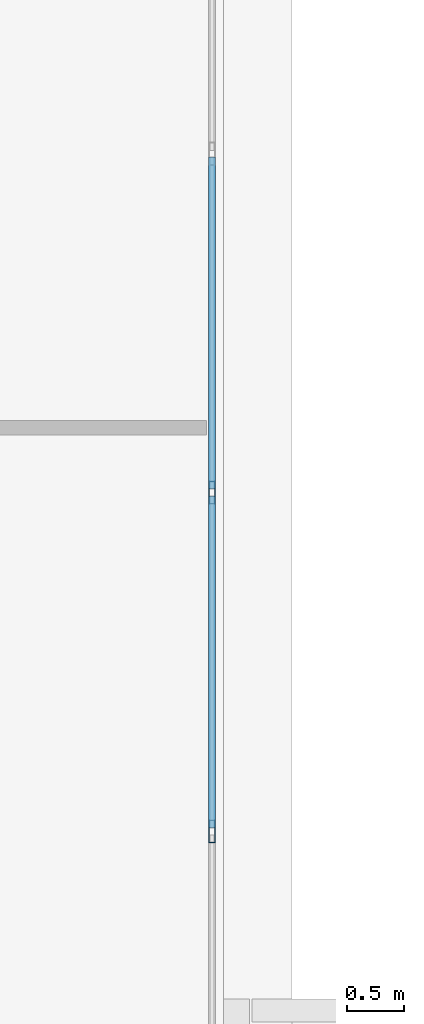
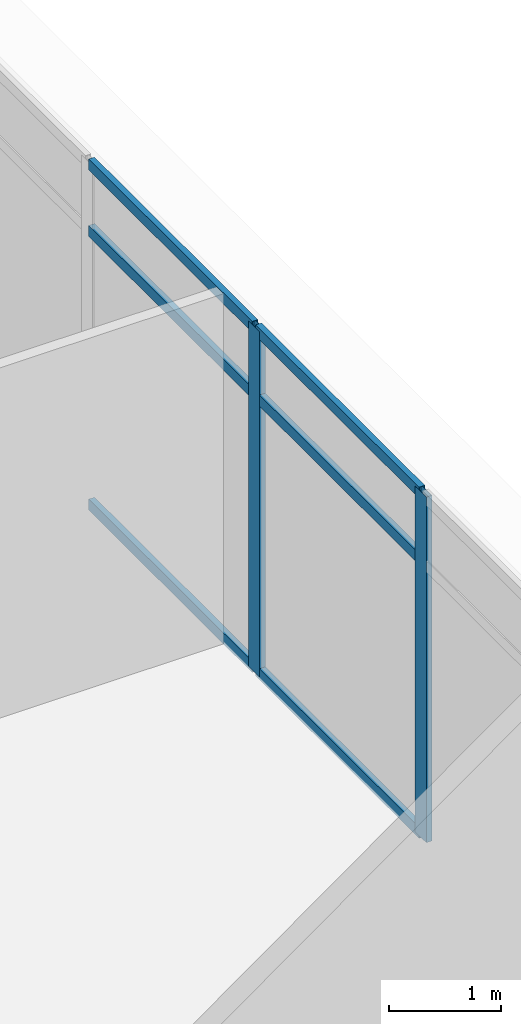
# One storey, part 18 of 43: 8 members, 1 element without a shape of its own.
"""IFC4 building model written with IfcOpenShell, lengths in metres."""

from ifc_helpers import new_model, si_unit, direction, frame, origin, origin_2d, place, context, subcontext, project, spatial, hollow_rectangle, extrude, source, transform, mapped, material, material_profile, profile_set, type_object, element, aggregate, save


model = new_model("IFC4")

# Units and contexts
model_context = context("Model", 3, precision=1e-05, world=origin(), true_north=direction((0.0, 1.0)))
body_context = subcontext(model_context, "Body", "Model", "MODEL_VIEW")
ifc_project = project(units=[si_unit("LENGTHUNIT", "METRE"), si_unit("AREAUNIT", "SQUARE_METRE"), si_unit("VOLUMEUNIT", "CUBIC_METRE"), si_unit("PLANEANGLEUNIT", "RADIAN"), si_unit("MASSUNIT", "GRAM", prefix="KILO")], contexts=[model_context])

# Site, building, storey
site_placement = place(None, origin())
site = spatial("IfcSite", under=ifc_project, at=site_placement, CompositionType="ELEMENT")
building_placement = place(site_placement, origin())
building = spatial("IfcBuilding", under=site, at=building_placement, Name="Khomas Fold Tower", CompositionType="ELEMENT")
storey_placement = place(building_placement, frame((0.0, 0.0, 164.699951171875)))
storey = spatial("IfcBuildingStorey", under=building, at=storey_placement, Name="L35", CompositionType="ELEMENT", Elevation=164.699951171875)

# Curtain wall, members
ifc_material_1 = material(Name="Aluminium framed double glazing", Category="aluminium")
curtain_wall_type = type_object("IfcCurtainWallType", Name="Notch glazing GN-CW", PredefinedType="NOTDEFINED", material=ifc_material_1)
curtain_wall_placement = place(storey_placement, origin())
curtain_wall = element("IfcCurtainWall", 1, at=curtain_wall_placement, inside=storey, type_object=curtain_wall_type, Name="Notch glazing run", PredefinedType="NOTDEFINED")
ifc_material_2 = material(Name="Aluminium", Category="aluminium")
ifc_material_profile_1 = material_profile(ifc_material_2, hollow_rectangle(XDim=0.06005859375, YDim=0.1201171875, WallThickness=0.00390625, at=origin_2d()), Name="Notch glazing transom GN-CW-T")
ifc_profile_set_1 = profile_set([ifc_material_profile_1], Name="Aluminium")
member_type_1 = type_object("IfcMemberType", Name="Notch glazing transom GN-CW-T", PredefinedType="USERDEFINED", material=ifc_profile_set_1)
shared_shape_1 = source(origin(), body_context, "Body", "SweptSolid", [
    extrude(hollow_rectangle(XDim=0.06005859375, YDim=0.1201171875, WallThickness=0.00390625, at=origin_2d()), origin(), (0.0, 0.0, 1.0), 2.90673828125),
])
member_1_placement = place(storey_placement, frame((30.85009765625, 35.99658203125, 0.030029296875), z_axis=(0.0, 1.0, 0.0), x_axis=(-1.0, 0.0, 0.0)))
member_1 = element("IfcMember", 2, at=member_1_placement, type_object=member_type_1, Name="GN-CW transom 2.1", ObjectType="TRANSOM", PredefinedType="USERDEFINED", context=body_context, shape_type="MappedRepresentation", body=[
    mapped(shared_shape_1, transform((0.0, 0.0, 0.0))),
])
member_2_placement = place(storey_placement, frame((30.85009765625, 35.99658203125, 3.0), z_axis=(0.0, 1.0, 0.0), x_axis=(-1.0, 0.0, 0.0)))
member_2 = element("IfcMember", 3, at=member_2_placement, type_object=member_type_1, Name="GN-CW transom 2.2", ObjectType="TRANSOM", PredefinedType="USERDEFINED", context=body_context, shape_type="MappedRepresentation", body=[
    mapped(shared_shape_1, transform((0.0, 0.0, 0.0))),
])
member_3_placement = place(storey_placement, frame((30.85009765625, 35.99658203125, 3.719970703125), z_axis=(0.0, 1.0, 0.0), x_axis=(-1.0, 0.0, 0.0)))
member_3 = element("IfcMember", 4, at=member_3_placement, type_object=member_type_1, Name="GN-CW transom 2.3", ObjectType="TRANSOM", PredefinedType="USERDEFINED", context=body_context, shape_type="MappedRepresentation", body=[
    mapped(shared_shape_1, transform((0.0, 0.0, 0.0))),
])
member_4_placement = place(storey_placement, frame((30.85009765625, 38.96337890625, 0.030029296875), z_axis=(0.0, 1.0, 0.0), x_axis=(-1.0, 0.0, 0.0)))
member_4 = element("IfcMember", 5, at=member_4_placement, type_object=member_type_1, Name="GN-CW transom 3.1", ObjectType="TRANSOM", PredefinedType="USERDEFINED", context=body_context, shape_type="MappedRepresentation", body=[
    mapped(shared_shape_1, transform((0.0, 0.0, 0.0))),
])
member_5_placement = place(storey_placement, frame((30.85009765625, 38.96337890625, 3.0), z_axis=(0.0, 1.0, 0.0), x_axis=(-1.0, 0.0, 0.0)))
member_5 = element("IfcMember", 6, at=member_5_placement, type_object=member_type_1, Name="GN-CW transom 3.2", ObjectType="TRANSOM", PredefinedType="USERDEFINED", context=body_context, shape_type="MappedRepresentation", body=[
    mapped(shared_shape_1, transform((0.0, 0.0, 0.0))),
])
member_6_placement = place(storey_placement, frame((30.85009765625, 38.96337890625, 3.719970703125), z_axis=(0.0, 1.0, 0.0), x_axis=(-1.0, 0.0, 0.0)))
member_6 = element("IfcMember", 7, at=member_6_placement, type_object=member_type_1, Name="GN-CW transom 3.3", ObjectType="TRANSOM", PredefinedType="USERDEFINED", context=body_context, shape_type="MappedRepresentation", body=[
    mapped(shared_shape_1, transform((0.0, 0.0, 0.0))),
])
ifc_material_3 = material(Name="Aluminium", Category="aluminium")
ifc_material_profile_2 = material_profile(ifc_material_3, hollow_rectangle(XDim=0.06005859375, YDim=0.199951171875, WallThickness=0.00390625, at=origin_2d()), Name="Notch glazing mullion GN-CW-M")
ifc_profile_set_2 = profile_set([ifc_material_profile_2], Name="Aluminium")
member_type_2 = type_object("IfcMemberType", Name="Notch glazing mullion GN-CW-M", PredefinedType="MULLION", material=ifc_profile_set_2)
shared_shape_2 = source(origin(), body_context, "Body", "SweptSolid", [
    extrude(hollow_rectangle(XDim=0.06005859375, YDim=0.199951171875, WallThickness=0.00390625, at=origin_2d()), origin(), (0.0, 0.0, 1.0), 3.75),
])
member_7_placement = place(storey_placement, frame((30.85009765625, 35.966552734375, 0.0), z_axis=(0.0, 0.0, 1.0), x_axis=(-1.0, 0.0, 0.0)))
member_7 = element("IfcMember", 8, at=member_7_placement, type_object=member_type_2, Name="GN-CW mullion 2", PredefinedType="MULLION", context=body_context, shape_type="MappedRepresentation", body=[
    mapped(shared_shape_2, transform((0.0, 0.0, 0.0))),
])
member_8_placement = place(storey_placement, frame((30.85009765625, 38.933349609375, 0.0), z_axis=(0.0, 0.0, 1.0), x_axis=(-1.0, 0.0, 0.0)))
member_8 = element("IfcMember", 9, at=member_8_placement, type_object=member_type_2, Name="GN-CW mullion 3", PredefinedType="MULLION", context=body_context, shape_type="MappedRepresentation", body=[
    mapped(shared_shape_2, transform((0.0, 0.0, 0.0))),
])
aggregate(curtain_wall, [member_7, member_8, member_1, member_2, member_3, member_4, member_5, member_6])

save(model, "model.ifc")
